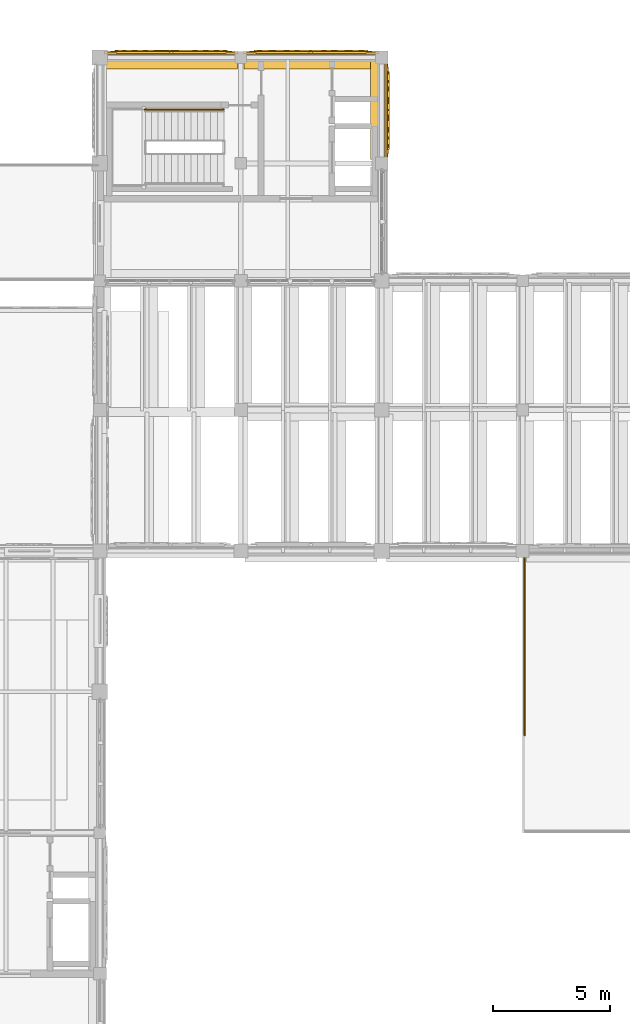
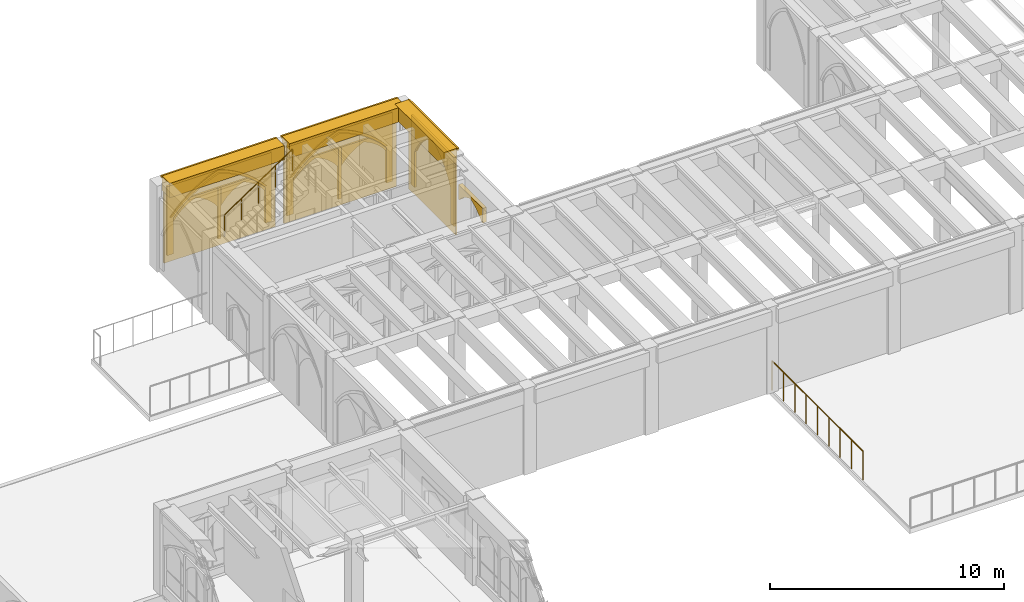
# One storey, part 100 of 127: 22 coverings, 2 railings.
"""IFC4 building model written with IfcOpenShell, lengths in metres."""

import ifcopenshell
import ifcopenshell.guid

model = None  # the IFC model being written
_history = None  # IfcOwnerHistory: only IFC2X3 demands one
_inside = {}  # id of a spatial element -> (the spatial element, [elements in it])
_under = {}  # id of a project, library or spatial element -> (it, [spatial elements below it])
_declared = {}  # id of a project -> (the project, [libraries it declares])
_typed = {}  # id of a type object -> (the type object, [elements of that type])
_made_of = {}  # id of a material, layer set ... -> (it, [elements and type objects made of it])


def new_model(schema):
    """Start an empty IFC model of exactly this schema.

    Asked for "IFC4X3", IfcOpenShell would pick the latest addendum, in which some entities
    have other attributes; the version numbers below select the first issue.
    IFC2X3 requires an IfcOwnerHistory on every rooted entity: one is made here for all.
    """
    global model, _history
    if schema == "IFC4X3":
        model = ifcopenshell.file(schema_version=(4, 3, 0, 0))
    else:
        model = ifcopenshell.file(schema=schema)
    _inside.clear()
    _under.clear()
    _declared.clear()
    _typed.clear()
    _made_of.clear()
    _history = None
    if model.schema == "IFC2X3":
        org = make("IfcOrganization", Name="unknown")
        user = make(
            "IfcPersonAndOrganization",
            ThePerson=make("IfcPerson", FamilyName="unknown"),
            TheOrganization=org,
        )
        app = make(
            "IfcApplication",
            ApplicationDeveloper=org,
            Version="unknown",
            ApplicationFullName="unknown",
            ApplicationIdentifier="unknown",
        )
        _history = make(
            "IfcOwnerHistory",
            OwningUser=user,
            OwningApplication=app,
            ChangeAction="ADDED",
            CreationDate=0,
        )
    return model


def make(cls, **values):
    """One entity of the class cls with the attributes given. An attribute that is None is left unset."""
    return model.create_entity(
        cls, **{name: value for name, value in values.items() if value is not None}
    )


def rooted(cls, **values):
    """An entity with a GlobalId (a new one), such as an element, a storey or a relation."""
    return make(cls, GlobalId=ifcopenshell.guid.new(), OwnerHistory=_history, **values)


def si_unit(unit_type, name, prefix=None):
    """IfcSIUnit, for example si_unit("LENGTHUNIT", "METRE", prefix="MILLI")."""
    return make("IfcSIUnit", UnitType=unit_type, Prefix=prefix, Name=name)


def assignment(units):
    """IfcUnitAssignment: the units of a project."""
    return None if units is None else make("IfcUnitAssignment", Units=units)


def point(xyz):
    """IfcCartesianPoint."""
    return None if xyz is None else make("IfcCartesianPoint", Coordinates=xyz)


def direction(xyz):
    """IfcDirection."""
    return None if xyz is None else make("IfcDirection", DirectionRatios=xyz)


def frame(location, z_axis=None, x_axis=None):
    """IfcAxis2Placement3D, a coordinate frame: its origin and axes. An axis left out is left unset."""
    return make(
        "IfcAxis2Placement3D",
        Location=point(location),
        Axis=direction(z_axis),
        RefDirection=direction(x_axis),
    )


def frame_2d(location, x_axis=None):
    """IfcAxis2Placement2D, a coordinate frame in the plane: its origin and x axis."""
    return make(
        "IfcAxis2Placement2D", Location=point(location), RefDirection=direction(x_axis)
    )


def origin():
    """The frame at (0, 0, 0) with its axes left unset."""
    return frame((0.0, 0.0, 0.0))


def origin_2d():
    """The frame at (0, 0) in the plane with its x axis left unset."""
    return frame_2d((0.0, 0.0))


def place(relative_to, where):
    """IfcLocalPlacement: puts the frame where relative to a parent placement (None: the world)."""
    return make(
        "IfcLocalPlacement", PlacementRelTo=relative_to, RelativePlacement=where
    )


def context(
    kind, dimensions, precision=None, world=None, true_north=None, identifier=None
):
    """IfcGeometricRepresentationContext, for example the 3D "Model" context."""
    return make(
        "IfcGeometricRepresentationContext",
        ContextIdentifier=identifier,
        ContextType=kind,
        CoordinateSpaceDimension=dimensions,
        Precision=precision,
        WorldCoordinateSystem=world,
        TrueNorth=true_north,
    )


def subcontext(parent, identifier, kind, view, scale=None):
    """IfcGeometricRepresentationSubContext, for example "Body" below "Model"."""
    return make(
        "IfcGeometricRepresentationSubContext",
        ContextIdentifier=identifier,
        ContextType=kind,
        ParentContext=parent,
        TargetScale=scale,
        TargetView=view,
    )


def project(units=None, contexts=None):
    """IfcProject with its units and contexts."""
    return rooted(
        "IfcProject",
        Name="project",
        RepresentationContexts=contexts,
        UnitsInContext=assignment(units),
    )


def spatial(cls, under=None, at=None, **own):
    """A site, building, storey or space (cls), placed at a placement, below another one or the project."""
    s = rooted(cls, ObjectPlacement=at, **own)
    if under is not None:
        _under.setdefault(under.id(), (under, []))[1].append(s)
    return s


def polyline(points):
    """IfcPolyline through the points."""
    return make("IfcPolyline", Points=[point(p) for p in points])


def profile(cls, at=None, kind="AREA", **sizes):
    """A parametric profile (cls). Its sizes go by their IFC names, for example OverallWidth=200.0."""
    return make(cls, ProfileType=kind, Position=at, **sizes)


def rectangle(**sizes):
    """IfcRectangleProfileDef."""
    return profile("IfcRectangleProfileDef", **sizes)


def circle(**sizes):
    """IfcCircleProfileDef."""
    return profile("IfcCircleProfileDef", **sizes)


def outline(outer, holes=None, kind="AREA"):
    """IfcArbitraryClosedProfileDef: a profile drawn as a closed curve; with holes, ...WithVoids."""
    if holes is None:
        return make("IfcArbitraryClosedProfileDef", ProfileType=kind, OuterCurve=outer)
    return make(
        "IfcArbitraryProfileDefWithVoids",
        ProfileType=kind,
        OuterCurve=outer,
        InnerCurves=holes,
    )


def extrude(swept, where, along, depth):
    """IfcExtrudedAreaSolid: the profile swept, set in the frame where, extruded along a direction by depth."""
    return make(
        "IfcExtrudedAreaSolid",
        SweptArea=swept,
        Position=where,
        ExtrudedDirection=direction(along),
        Depth=depth,
    )


def shape(context_of_items, identifier, shape_type, items):
    """IfcShapeRepresentation: the items that make up one representation, for example the "Body"."""
    return make(
        "IfcShapeRepresentation",
        ContextOfItems=context_of_items,
        RepresentationIdentifier=identifier,
        RepresentationType=shape_type,
        Items=items,
    )


def material(Name=None, Category=None):
    """IfcMaterial."""
    return make("IfcMaterial", Name=Name, Category=Category)


def made_of(thing, what):
    """Note that an element or type object is made of a material, layer set ...; save() writes the relation."""
    if what is not None:
        _made_of.setdefault(what.id(), (what, []))[1].append(thing)
    return thing


def type_object(cls, material=None, **own):
    """A type object (cls), such as IfcWallType, which elements share."""
    return made_of(rooted(cls, **own), material)


def element(
    cls,
    number,
    at=None,
    inside=None,
    cuts=None,
    type_object=None,
    material=None,
    context=None,
    identifier="Body",
    shape_type=None,
    held_by="IfcProductDefinitionShape",
    body=None,
    shapes=None,
    **own,
):
    """One element of the class cls, such as IfcWall. Its Tag is "e" and its number.

    at: its placement. inside: the storey or other place that contains it. cuts: it is an
    opening in that element (IfcRelVoidsElement). A single representation is given by context,
    identifier, shape_type and body (its items); several are given by shapes. held_by: the class
    of the entity that holds the representations. save() writes the other relations.
    """
    e = rooted(cls, Tag="e%d" % number, ObjectPlacement=at, **own)
    if body is not None:
        shapes = [shape(context, identifier, shape_type, body)]
    if shapes is not None:
        e.Representation = make(held_by, Representations=shapes)
    if inside is not None:
        _inside.setdefault(inside.id(), (inside, []))[1].append(e)
    if cuts is not None:
        rooted(
            "IfcRelVoidsElement", RelatingBuildingElement=cuts, RelatedOpeningElement=e
        )
    if type_object is not None:
        _typed.setdefault(type_object.id(), (type_object, []))[1].append(e)
    return made_of(e, material)


def aggregate(whole, parts):
    """IfcRelAggregates: a whole, such as a stair, and the parts it consists of."""
    return rooted("IfcRelAggregates", RelatingObject=whole, RelatedObjects=parts)


def save(model, path):
    """Write the relations noted so far, then the file.

    IfcRelAggregates (storeys below a building ...), IfcRelContainedInSpatialStructure (elements
    in a storey), IfcRelDefinesByType, IfcRelAssociatesMaterial and IfcRelDeclares: one each for
    every whole, place, type object, material and project.
    """
    for whole, parts in _under.values():
        aggregate(whole, parts)
    for where, things in _inside.values():
        rooted(
            "IfcRelContainedInSpatialStructure",
            RelatedElements=things,
            RelatingStructure=where,
        )
    for kind, things in _typed.values():
        rooted("IfcRelDefinesByType", RelatedObjects=things, RelatingType=kind)
    for what, things in _made_of.values():
        rooted("IfcRelAssociatesMaterial", RelatedObjects=things, RelatingMaterial=what)
    for by, libraries in _declared.values():
        rooted("IfcRelDeclares", RelatingContext=by, RelatedDefinitions=libraries)
    model.write(path)


model = new_model("IFC4")

# Units and contexts
model_context = context("Model", 3, precision=1e-05, world=origin(), true_north=direction((0.0, 1.0)))
body_context = subcontext(model_context, "Body", "Model", "MODEL_VIEW")
ifc_project = project(units=[si_unit("LENGTHUNIT", "METRE"), si_unit("AREAUNIT", "SQUARE_METRE"), si_unit("VOLUMEUNIT", "CUBIC_METRE"), si_unit("PLANEANGLEUNIT", "RADIAN"), si_unit("MASSUNIT", "GRAM", prefix="KILO")], contexts=[model_context])

# Site, building, storey
site_placement = place(None, origin())
site = spatial("IfcSite", under=ifc_project, at=site_placement, CompositionType="ELEMENT")
building_placement = place(site_placement, origin())
building = spatial("IfcBuilding", under=site, at=building_placement, Name="Cumevento Cable Car Station", CompositionType="ELEMENT")
storey_placement = place(building_placement, frame((0.0, 0.0, 4.5)))
storey = spatial("IfcBuildingStorey", under=building, at=storey_placement, Name="L02", CompositionType="ELEMENT", Elevation=4.5)

# Railings
ifc_material_1 = material(Name="Painted Galvanised Architectural Steel", Category="steel")
railing_type_1 = type_object("IfcRailingType", Name="Stair Guardrail GR-S115", PredefinedType="GUARDRAIL", material=ifc_material_1)
railing_1_placement = place(storey_placement, frame((23.919921875, 63.7900390625, 2.25)))
element("IfcRailing", 1, at=railing_1_placement, inside=storey, type_object=railing_type_1, Name="Stair Outer Guardrail ST-04-L02 F2", PredefinedType="GUARDRAIL", context=body_context, shape_type="SweptSolid", body=[
    extrude(circle(Radius=0.02392578125, at=origin_2d()), frame((0.0, 0.0, 1.1259765625), z_axis=(0.830915400975, 0.0, 0.556398774641), x_axis=(0.0, 1.0, 0.0)), (0.0, 0.0, 1.0), 4.0439453125),
    extrude(circle(Radius=0.02001953125, at=origin_2d()), origin(), (0.0, 0.0, 1.0), 1.101806640625),
    extrude(circle(Radius=0.02001953125, at=origin_2d()), frame((0.840087890625, 0.0, 0.5625)), (0.0, 0.0, 1.0), 1.101806640625),
    extrude(circle(Radius=0.02001953125, at=origin_2d()), frame((1.68017578125, 0.0, 1.125)), (0.0, 0.0, 1.0), 1.101806640625),
    extrude(circle(Radius=0.02001953125, at=origin_2d()), frame((2.52001953125, 0.0, 1.6875)), (0.0, 0.0, 1.0), 1.101806640625),
    extrude(circle(Radius=0.02001953125, at=origin_2d()), frame((3.360107421875, 0.0, 2.25)), (0.0, 0.0, 1.0), 1.101806640625),
])
ifc_material_2 = material(Name="Painted Galvanised Architectural Steel", Category="steel")
railing_type_2 = type_object("IfcRailingType", Name="Terrace Guardrail GR-T155 1550", PredefinedType="GUARDRAIL", material=ifc_material_2)
railing_2_placement = place(storey_placement, frame((40.080078125, 37.14990234375, 0.0)))
element("IfcRailing", 2, at=railing_2_placement, inside=storey, type_object=railing_type_2, Name="Panoramic Terrace Guardrail GR-T155 #13", PredefinedType="GUARDRAIL", context=body_context, shape_type="SweptSolid", body=[
    extrude(circle(Radius=0.02685546875, at=origin_2d()), frame((0.0, 0.0, 1.52294921875), z_axis=(0.0, 1.0, 0.0), x_axis=(-1.0, 0.0, 0.0)), (0.0, 0.0, 1.0), 7.77001953125),
    extrude(circle(Radius=0.02099609375, at=origin_2d()), origin(), (0.0, 0.0, 1.0), 1.49609375),
    extrude(circle(Radius=0.02099609375, at=origin_2d()), frame((0.0, 0.97119140625, 0.0)), (0.0, 0.0, 1.0), 1.49609375),
    extrude(circle(Radius=0.02099609375, at=origin_2d()), frame((0.0, 1.9423828125, 0.0)), (0.0, 0.0, 1.0), 1.49609375),
    extrude(circle(Radius=0.02099609375, at=origin_2d()), frame((0.0, 2.913818359375, 0.0)), (0.0, 0.0, 1.0), 1.49609375),
    extrude(circle(Radius=0.02099609375, at=origin_2d()), frame((0.0, 3.885009765625, 0.0)), (0.0, 0.0, 1.0), 1.49609375),
    extrude(circle(Radius=0.02099609375, at=origin_2d()), frame((0.0, 4.856201171875, 0.0)), (0.0, 0.0, 1.0), 1.49609375),
    extrude(circle(Radius=0.02099609375, at=origin_2d()), frame((0.0, 5.82763671875, 0.0)), (0.0, 0.0, 1.0), 1.49609375),
    extrude(circle(Radius=0.02099609375, at=origin_2d()), frame((0.0, 6.798828125, 0.0)), (0.0, 0.0, 1.0), 1.49609375),
    extrude(circle(Radius=0.02099609375, at=origin_2d()), frame((0.0, 7.77001953125, 0.0)), (0.0, 0.0, 1.0), 1.49609375),
])

# Coverings
ifc_material_3 = material(Name="Gnaisse Facoidal Stone Ashlar 85 MPa", Category="masonry")
covering_type = type_object("IfcCoveringType", Name="Gnaisse Ashlar Cladding CV-CL01", PredefinedType="CLADDING", material=ifc_material_3)
covering_1_placement = place(storey_placement, frame((25.03759765625, 65.85009765625, 3.80908203125), z_axis=(0.0, 0.0, 1.0), x_axis=(1.0, 0.0, 0.0)))
element("IfcCovering", 3, at=covering_1_placement, inside=storey, type_object=covering_type, Name="Gothic Stone Spandrel Stringcourse sc:0377", PredefinedType="CLADDING", context=body_context, shape_type="SweptSolid", body=[
    extrude(rectangle(XDim=5.6650390625, YDim=0.659912109375, at=origin_2d()), origin(), (0.0, 0.0, 1.0), 0.7470703125),
])
covering_2_placement = place(storey_placement, frame((25.03759765625, 66.20751953125, 4.426025390625), z_axis=(0.0, 0.0, 1.0), x_axis=(1.0, 0.0, 0.0)))
element("IfcCovering", 4, at=covering_2_placement, inside=storey, type_object=covering_type, Name="Gothic Cornice Dripstone Lip sc:0377", PredefinedType="CLADDING", context=body_context, shape_type="SweptSolid", body=[
    extrude(rectangle(XDim=5.705078125, YDim=0.114990234375, at=origin_2d()), origin(), (0.0, 0.0, 1.0), 0.1298828125),
])
covering_3_placement = place(storey_placement, frame((30.987548828125, 65.85009765625, 3.80908203125), z_axis=(0.0, 0.0, 1.0), x_axis=(1.0, 0.0, 0.0)))
element("IfcCovering", 5, at=covering_3_placement, inside=storey, type_object=covering_type, Name="Gothic Stone Spandrel Stringcourse sc:0378", PredefinedType="CLADDING", context=body_context, shape_type="SweptSolid", body=[
    extrude(rectangle(XDim=5.715087890625, YDim=0.659912109375, at=origin_2d()), origin(), (0.0, 0.0, 1.0), 0.7470703125),
])
covering_4_placement = place(storey_placement, frame((30.987548828125, 66.20751953125, 4.426025390625), z_axis=(0.0, 0.0, 1.0), x_axis=(1.0, 0.0, 0.0)))
element("IfcCovering", 6, at=covering_4_placement, inside=storey, type_object=covering_type, Name="Gothic Cornice Dripstone Lip sc:0378", PredefinedType="CLADDING", context=body_context, shape_type="SweptSolid", body=[
    extrude(rectangle(XDim=5.7548828125, YDim=0.114990234375, at=origin_2d()), origin(), (0.0, 0.0, 1.0), 0.1298828125),
])
covering_5_placement = place(storey_placement, frame((33.85009765625, 63.75, 3.80908203125), z_axis=(0.0, 0.0, 1.0), x_axis=(0.0, -1.0, 0.0)))
element("IfcCovering", 7, at=covering_5_placement, inside=storey, type_object=covering_type, Name="Gothic Stone Spandrel Stringcourse sc:0382", PredefinedType="CLADDING", context=body_context, shape_type="SweptSolid", body=[
    extrude(rectangle(XDim=4.18994140625, YDim=0.659912109375, at=origin_2d()), origin(), (0.0, 0.0, 1.0), 0.7470703125),
])
covering_6_placement = place(storey_placement, frame((34.20751953125, 63.75, 4.426025390625), z_axis=(0.0, 0.0, 1.0), x_axis=(0.0, -1.0, 0.0)))
element("IfcCovering", 8, at=covering_6_placement, inside=storey, type_object=covering_type, Name="Gothic Cornice Dripstone Lip sc:0382", PredefinedType="CLADDING", context=body_context, shape_type="SweptSolid", body=[
    extrude(rectangle(XDim=4.22998046875, YDim=0.114990234375, at=origin_2d()), origin(), (0.0, 0.0, 1.0), 0.1298828125),
])
covering_7_placement = place(storey_placement, frame((34.0, 61.094970703125, 2.30908203125), z_axis=(0.0, 0.0, 1.0), x_axis=(0.0, -1.0, 0.0)))
element("IfcCovering", 9, at=covering_7_placement, inside=storey, type_object=covering_type, Name="Gothic Ogival Pointed-Arch Stone Spandrel cw_ogival:0058:sub:0", PredefinedType="CLADDING", context=body_context, shape_type="SweptSolid", body=[
    extrude(outline(polyline([(-0.02001953125, 0.0), (-0.02001953125, 0.76953125), (2.0576171875, 0.76953125), (2.0576171875, 0.0), (1.99755859375, 0.0), (1.861083984375, 0.1435546875), (1.712158203125, 0.2744140625), (1.55224609375, 0.39111328125), (1.382568359375, 0.4931640625), (1.2041015625, 0.57958984375), (1.018798828125, 0.649658203125), (0.83349609375, 0.57958984375), (0.655029296875, 0.4931640625), (0.4853515625, 0.39111328125), (0.325439453125, 0.2744140625), (0.176513671875, 0.1435546875), (0.0400390625, 0.0), (-0.02001953125, 0.0)])), frame((0.0, 0.1240234375, 0.0), z_axis=(0.0, -1.0, 0.0), x_axis=(1.0, 0.0, 0.0)), (0.0, 0.0, 1.0), 0.199951171875),
])
covering_8_placement = place(storey_placement, frame((22.324951171875, 66.0, 0.0), z_axis=(0.0, 0.0, 1.0), x_axis=(1.0, 0.0, 0.0)))
element("IfcCovering", 10, at=covering_8_placement, inside=storey, type_object=covering_type, Name="Exterior Gnaisse Stone Wall Ashlar #195", PredefinedType="CLADDING", context=body_context, shape_type="SweptSolid", body=[
    extrude(outline(polyline([(-0.0400390625, -0.02001953125), (5.465087890625, -0.02001953125), (5.465087890625, 3.888916015625), (-0.0400390625, 3.888916015625), (-0.0400390625, -0.02001953125)])), frame((0.0, 0.222412109375, 0.0), z_axis=(0.0, -1.0, 0.0), x_axis=(1.0, 0.0, 0.0)), (0.0, 0.0, 1.0), 0.0849609375),
])
placement_1 = place(storey_placement, frame((22.5048828125, 66.0, 0.300048828125), z_axis=(0.0, 0.0, 1.0), x_axis=(1.0, 0.0, 0.0)))
element("IfcCovering", 11, at=placement_1, inside=storey, type_object=covering_type, Name="Gothic Ogival Pointed-Arch Stone Spandrel blind_ogival:0195", PredefinedType="CLADDING", context=body_context, shape_type="SweptSolid", body=[
    extrude(outline(polyline([(-0.050048828125, 0.0), (-0.050048828125, 3.60888671875), (5.114990234375, 3.60888671875), (5.114990234375, 0.0), (4.804931640625, 0.0), (4.804931640625, 1.86669921875), (4.535888671875, 2.156494140625), (4.245361328125, 2.4248046875), (3.934814453125, 2.669921875), (3.606201171875, 2.889892578125), (3.261474609375, 3.083984375), (2.90283203125, 3.25048828125), (2.532470703125, 3.38916015625), (2.162109375, 3.25048828125), (1.803466796875, 3.083984375), (1.458740234375, 2.889892578125), (1.130126953125, 2.669921875), (0.819580078125, 2.4248046875), (0.529052734375, 2.156494140625), (0.260009765625, 1.86669921875), (0.260009765625, 0.0), (-0.050048828125, 0.0)])), frame((0.0, 0.277587890625, 0.0), z_axis=(0.0, -1.0, 0.0), x_axis=(1.0, 0.0, 0.0)), (0.0, 0.0, 1.0), 0.110107421875),
])
covering_10_placement = place(storey_placement, frame((22.5048828125, 66.0, 2.16650390625), z_axis=(0.0, 0.0, 1.0), x_axis=(1.0, 0.0, 0.0)))
element("IfcCovering", 12, at=covering_10_placement, inside=storey, type_object=covering_type, Name="Gothic Pointed Archivolt Hood Moulding blind_ogival:0195", PredefinedType="CLADDING", context=body_context, shape_type="SweptSolid", body=[
    extrude(outline(polyline([(0.260009765625, 0.0), (0.529052734375, 0.2900390625), (0.819580078125, 0.558349609375), (1.130126953125, 0.80322265625), (1.458740234375, 1.023193359375), (1.803466796875, 1.21728515625), (2.162109375, 1.384033203125), (2.532470703125, 1.5224609375), (2.90283203125, 1.384033203125), (3.261474609375, 1.21728515625), (3.606201171875, 1.023193359375), (3.934814453125, 0.80322265625), (4.245361328125, 0.558349609375), (4.535888671875, 0.2900390625), (4.804931640625, 0.0), (4.926025390625, 0.0), (4.647216796875, 0.31787109375), (4.343994140625, 0.612060546875), (4.01806640625, 0.88134765625), (3.671875, 1.12353515625), (3.30712890625, 1.337158203125), (2.926513671875, 1.52099609375), (2.532470703125, 1.673583984375), (2.138427734375, 1.52099609375), (1.7578125, 1.337158203125), (1.39306640625, 1.12353515625), (1.046875, 0.88134765625), (0.720947265625, 0.612060546875), (0.417724609375, 0.31787109375), (0.138916015625, 0.0), (0.260009765625, 0.0)])), frame((0.0, 0.319580078125, 0.0), z_axis=(0.0, -1.0, 0.0), x_axis=(1.0, 0.0, 0.0)), (0.0, 0.0, 1.0), 0.06689453125),
])
element("IfcCovering", 13, at=placement_1, inside=storey, type_object=covering_type, Name="Gothic Bifora Stone Colonnette blind_ogival:0195 #1", PredefinedType="CLADDING", context=body_context, shape_type="SweptSolid", body=[
    extrude(outline(polyline([(2.45751953125, -0.02001953125), (2.607421875, -0.02001953125), (2.607421875, 2.658203125), (2.45751953125, 2.658203125), (2.45751953125, -0.02001953125)])), frame((0.0, 0.265380859375, 0.0), z_axis=(0.0, -1.0, 0.0), x_axis=(1.0, 0.0, 0.0)), (0.0, 0.0, 1.0), 0.094970703125),
])
for number, where, z_axis, x_axis, name in (
    (14, (22.735107421875, 66.0, 1.986572265625), (0.0, 0.0, 1.0), (1.0, 0.0, 0.0), "Gothic Ogival Pointed-Arch Stone Spandrel blind_ogival:0195:sub:0"),
    (15, (25.08251953125, 66.0, 1.986572265625), (0.0, 0.0, 1.0), (1.0, 0.0, 0.0), "Gothic Ogival Pointed-Arch Stone Spandrel blind_ogival:0195:sub:1"),
):
    element("IfcCovering", number, at=place(storey_placement, frame(where, z_axis=z_axis, x_axis=x_axis)), inside=storey, type_object=covering_type, Name=name, PredefinedType="CLADDING", context=body_context, shape_type="SweptSolid", body=[
        extrude(outline(polyline([(-0.02001953125, 0.0), (-0.02001953125, 0.9716796875), (2.277587890625, 0.9716796875), (2.277587890625, 0.0), (2.217529296875, 0.0), (2.075439453125, 0.185791015625), (1.915283203125, 0.356201171875), (1.73876953125, 0.509521484375), (1.54736328125, 0.64404296875), (1.343505859375, 0.758544921875), (1.128662109375, 0.8515625), (0.9140625, 0.758544921875), (0.710205078125, 0.64404296875), (0.518798828125, 0.509521484375), (0.34228515625, 0.356201171875), (0.18212890625, 0.185791015625), (0.0400390625, 0.0), (-0.02001953125, 0.0)])), frame((0.0, 0.261474609375, 0.0), z_axis=(0.0, -1.0, 0.0), x_axis=(1.0, 0.0, 0.0)), (0.0, 0.0, 1.0), 0.090087890625),
    ])
covering_12_placement = place(storey_placement, frame((28.25, 66.0, 0.0), z_axis=(0.0, 0.0, 1.0), x_axis=(1.0, 0.0, 0.0)))
element("IfcCovering", 16, at=covering_12_placement, inside=storey, type_object=covering_type, Name="Exterior Gnaisse Stone Wall Ashlar #196", PredefinedType="CLADDING", context=body_context, shape_type="SweptSolid", body=[
    extrude(outline(polyline([(-0.0400390625, -0.02001953125), (5.514892578125, -0.02001953125), (5.514892578125, 3.888916015625), (-0.0400390625, 3.888916015625), (-0.0400390625, -0.02001953125)])), frame((0.0, 0.222412109375, 0.0), z_axis=(0.0, -1.0, 0.0), x_axis=(1.0, 0.0, 0.0)), (0.0, 0.0, 1.0), 0.0849609375),
])
placement_2 = place(storey_placement, frame((28.429931640625, 66.0, 0.300048828125), z_axis=(0.0, 0.0, 1.0), x_axis=(1.0, 0.0, 0.0)))
element("IfcCovering", 17, at=placement_2, inside=storey, type_object=covering_type, Name="Gothic Ogival Pointed-Arch Stone Spandrel blind_ogival:0196", PredefinedType="CLADDING", context=body_context, shape_type="SweptSolid", body=[
    extrude(outline(polyline([(-0.050048828125, 0.0), (-0.050048828125, 3.60888671875), (5.1650390625, 3.60888671875), (5.1650390625, 0.0), (4.85498046875, 0.0), (4.85498046875, 1.86669921875), (4.58203125, 2.156982421875), (4.28759765625, 2.42529296875), (3.973388671875, 2.670166015625), (3.64111328125, 2.890380859375), (3.29296875, 3.083984375), (2.93115234375, 3.25048828125), (2.5576171875, 3.38916015625), (2.183837890625, 3.25048828125), (1.822021484375, 3.083984375), (1.473876953125, 2.890380859375), (1.1416015625, 2.670166015625), (0.827392578125, 2.42529296875), (0.532958984375, 2.156982421875), (0.260009765625, 1.86669921875), (0.260009765625, 0.0), (-0.050048828125, 0.0)])), frame((0.0, 0.277587890625, 0.0), z_axis=(0.0, -1.0, 0.0), x_axis=(1.0, 0.0, 0.0)), (0.0, 0.0, 1.0), 0.110107421875),
])
covering_14_placement = place(storey_placement, frame((28.429931640625, 66.0, 2.16650390625), z_axis=(0.0, 0.0, 1.0), x_axis=(1.0, 0.0, 0.0)))
element("IfcCovering", 18, at=covering_14_placement, inside=storey, type_object=covering_type, Name="Gothic Pointed Archivolt Hood Moulding blind_ogival:0196", PredefinedType="CLADDING", context=body_context, shape_type="SweptSolid", body=[
    extrude(outline(polyline([(0.260009765625, 0.0), (0.532958984375, 0.290283203125), (0.827392578125, 0.55859375), (1.1416015625, 0.803466796875), (1.473876953125, 1.023681640625), (1.822021484375, 1.217529296875), (2.183837890625, 1.384033203125), (2.5576171875, 1.5224609375), (2.93115234375, 1.384033203125), (3.29296875, 1.217529296875), (3.64111328125, 1.023681640625), (3.973388671875, 0.803466796875), (4.28759765625, 0.55859375), (4.58203125, 0.290283203125), (4.85498046875, 0.0), (4.97607421875, 0.0), (4.693359375, 0.318115234375), (4.38623046875, 0.612548828125), (4.056640625, 0.8818359375), (3.70654296875, 1.123779296875), (3.338623046875, 1.33740234375), (2.954833984375, 1.52099609375), (2.5576171875, 1.673583984375), (2.16015625, 1.52099609375), (1.7763671875, 1.33740234375), (1.408447265625, 1.123779296875), (1.058349609375, 0.8818359375), (0.728759765625, 0.612548828125), (0.421630859375, 0.318115234375), (0.138916015625, 0.0), (0.260009765625, 0.0)])), frame((0.0, 0.319580078125, 0.0), z_axis=(0.0, -1.0, 0.0), x_axis=(1.0, 0.0, 0.0)), (0.0, 0.0, 1.0), 0.06689453125),
])
element("IfcCovering", 19, at=placement_2, inside=storey, type_object=covering_type, Name="Gothic Bifora Stone Colonnette blind_ogival:0196 #1", PredefinedType="CLADDING", context=body_context, shape_type="SweptSolid", body=[
    extrude(outline(polyline([(2.482421875, -0.02001953125), (2.632568359375, -0.02001953125), (2.632568359375, 2.658203125), (2.482421875, 2.658203125), (2.482421875, -0.02001953125)])), frame((0.0, 0.265380859375, 0.0), z_axis=(0.0, -1.0, 0.0), x_axis=(1.0, 0.0, 0.0)), (0.0, 0.0, 1.0), 0.094970703125),
])
for number, where, z_axis, x_axis, name in (
    (20, (28.659912109375, 66.0, 1.986572265625), (0.0, 0.0, 1.0), (1.0, 0.0, 0.0), "Gothic Ogival Pointed-Arch Stone Spandrel blind_ogival:0196:sub:0"),
    (21, (31.032470703125, 66.0, 1.986572265625), (0.0, 0.0, 1.0), (1.0, 0.0, 0.0), "Gothic Ogival Pointed-Arch Stone Spandrel blind_ogival:0196:sub:1"),
):
    element("IfcCovering", number, at=place(storey_placement, frame(where, z_axis=z_axis, x_axis=x_axis)), inside=storey, type_object=covering_type, Name=name, PredefinedType="CLADDING", context=body_context, shape_type="SweptSolid", body=[
        extrude(outline(polyline([(-0.02001953125, 0.0), (-0.02001953125, 0.9716796875), (2.302490234375, 0.9716796875), (2.302490234375, 0.0), (2.242431640625, 0.0), (2.09814453125, 0.18603515625), (1.935546875, 0.3564453125), (1.7568359375, 0.509765625), (1.5634765625, 0.644287109375), (1.357666015625, 0.758544921875), (1.141357421875, 0.8515625), (0.9248046875, 0.758544921875), (0.718994140625, 0.644287109375), (0.525634765625, 0.509765625), (0.346923828125, 0.3564453125), (0.184326171875, 0.18603515625), (0.0400390625, 0.0), (-0.02001953125, 0.0)])), frame((0.0, 0.261474609375, 0.0), z_axis=(0.0, -1.0, 0.0), x_axis=(1.0, 0.0, 0.0)), (0.0, 0.0, 1.0), 0.090087890625),
    ])
covering_16_placement = place(storey_placement, frame((34.0, 65.72509765625, 0.0), z_axis=(0.0, 0.0, 1.0), x_axis=(0.0, -1.0, 0.0)))
element("IfcCovering", 22, at=covering_16_placement, inside=storey, type_object=covering_type, Name="Exterior Gnaisse Stone Wall Ashlar #199", PredefinedType="CLADDING", context=body_context, shape_type="SweptSolid", body=[
    extrude(outline(polyline([(-0.0400390625, -0.02001953125), (3.989990234375, -0.02001953125), (3.989990234375, 3.888916015625), (-0.0400390625, 3.888916015625), (-0.0400390625, -0.02001953125)])), frame((0.0, 0.222412109375, 0.0), z_axis=(0.0, -1.0, 0.0), x_axis=(1.0, 0.0, 0.0)), (0.0, 0.0, 1.0), 0.0849609375),
])
covering_17_placement = place(storey_placement, frame((34.0, 65.544921875, 0.300048828125), z_axis=(0.0, 0.0, 1.0), x_axis=(0.0, -1.0, 0.0)))
element("IfcCovering", 23, at=covering_17_placement, inside=storey, type_object=covering_type, Name="Gothic Ogival Pointed-Arch Stone Spandrel blind_ogival:0199", PredefinedType="CLADDING", context=body_context, shape_type="SweptSolid", body=[
    extrude(outline(polyline([(-0.050048828125, 0.0), (-0.050048828125, 3.60888671875), (3.639892578125, 3.60888671875), (3.639892578125, 0.0), (3.330078125, 0.0), (3.330078125, 1.86669921875), (3.18408203125, 2.14599609375), (3.010009765625, 2.4091796875), (2.81005859375, 2.6533203125), (2.5859375, 2.87548828125), (2.34033203125, 3.073486328125), (2.075927734375, 3.245361328125), (1.794921875, 3.38916015625), (1.51416015625, 3.245361328125), (1.249755859375, 3.073486328125), (1.004150390625, 2.87548828125), (0.780029296875, 2.6533203125), (0.580078125, 2.4091796875), (0.406005859375, 2.14599609375), (0.260009765625, 1.86669921875), (0.260009765625, 0.0), (-0.050048828125, 0.0)])), frame((0.0, 0.277587890625, 0.0), z_axis=(0.0, -1.0, 0.0), x_axis=(1.0, 0.0, 0.0)), (0.0, 0.0, 1.0), 0.110107421875),
])
covering_18_placement = place(storey_placement, frame((34.0, 65.544921875, 2.16650390625), z_axis=(0.0, 0.0, 1.0), x_axis=(0.0, -1.0, 0.0)))
element("IfcCovering", 24, at=covering_18_placement, inside=storey, type_object=covering_type, Name="Gothic Pointed Archivolt Hood Moulding blind_ogival:0199", PredefinedType="CLADDING", context=body_context, shape_type="SweptSolid", body=[
    extrude(outline(polyline([(0.260009765625, 0.0), (0.406005859375, 0.279541015625), (0.580078125, 0.542724609375), (0.780029296875, 0.78662109375), (1.004150390625, 1.0087890625), (1.249755859375, 1.206787109375), (1.51416015625, 1.378662109375), (1.794921875, 1.5224609375), (2.075927734375, 1.378662109375), (2.34033203125, 1.206787109375), (2.5859375, 1.0087890625), (2.81005859375, 0.78662109375), (3.010009765625, 0.542724609375), (3.18408203125, 0.279541015625), (3.330078125, 0.0), (3.450927734375, 0.0), (3.2958984375, 0.306640625), (3.10986328125, 0.595703125), (2.894775390625, 0.86376953125), (2.65283203125, 1.108154296875), (2.38720703125, 1.326171875), (2.10009765625, 1.51513671875), (1.794921875, 1.673583984375), (1.489990234375, 1.51513671875), (1.202880859375, 1.326171875), (0.937255859375, 1.108154296875), (0.6953125, 0.86376953125), (0.480224609375, 0.595703125), (0.294189453125, 0.306640625), (0.138916015625, 0.0), (0.260009765625, 0.0)])), frame((0.0, 0.319580078125, 0.0), z_axis=(0.0, -1.0, 0.0), x_axis=(1.0, 0.0, 0.0)), (0.0, 0.0, 1.0), 0.06689453125),
])

save(model, "model.ifc")
